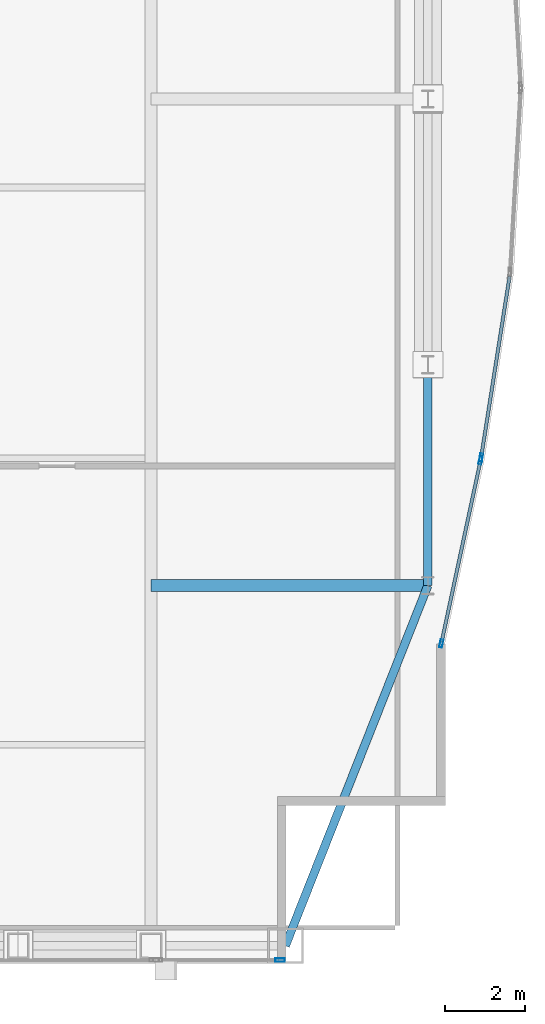
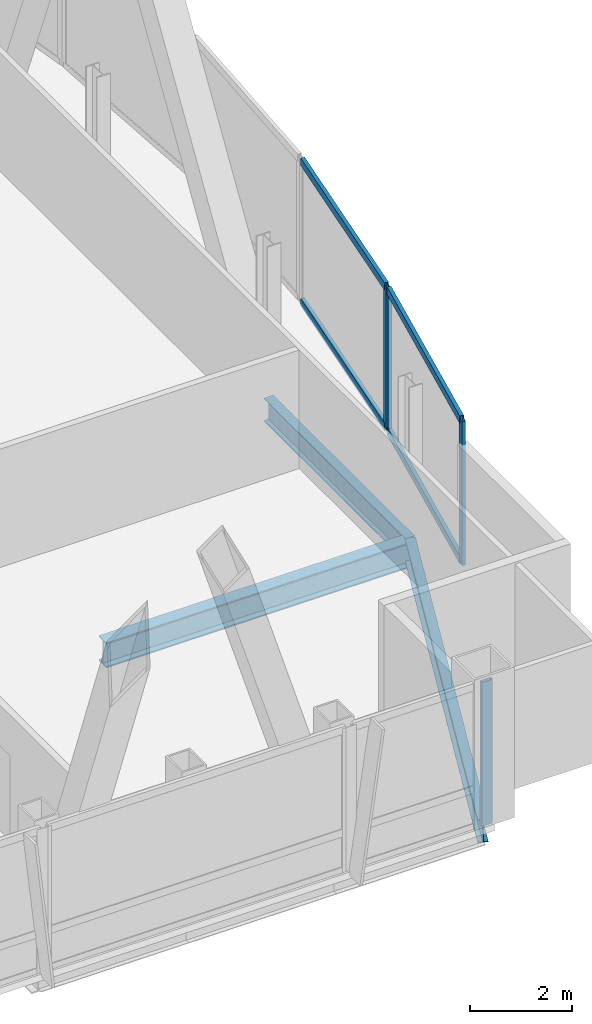
# One storey, part 15 of 29: 8 members, 3 beams, 3 elements without a shape of their own.
"""IFC4 building model written with IfcOpenShell, lengths in metres."""

from ifc_helpers import new_model, si_unit, direction, frame, origin, origin_2d, place, context, subcontext, project, spatial, hollow_rectangle, i_section, extrude, material, material_profile, profile_set, type_object, element, aggregate, save


model = new_model("IFC4")

# Units and contexts
model_context = context("Model", 3, precision=1e-05, world=origin(), true_north=direction((0.0, 1.0)))
body_context = subcontext(model_context, "Body", "Model", "MODEL_VIEW")
ifc_project = project(units=[si_unit("LENGTHUNIT", "METRE"), si_unit("AREAUNIT", "SQUARE_METRE"), si_unit("VOLUMEUNIT", "CUBIC_METRE"), si_unit("PLANEANGLEUNIT", "RADIAN"), si_unit("MASSUNIT", "GRAM", prefix="KILO")], contexts=[model_context])

# Site, building, storey
site_placement = place(None, origin())
site = spatial("IfcSite", under=ifc_project, at=site_placement, CompositionType="ELEMENT")
building_placement = place(site_placement, origin())
building = spatial("IfcBuilding", under=site, at=building_placement, Name="Khoronbel Lancet Exchange", CompositionType="ELEMENT")
storey_placement = place(building_placement, frame((0.0, 0.0, 314.60009765625)))
storey = spatial("IfcBuildingStorey", under=building, at=storey_placement, Name="L81", CompositionType="ELEMENT", Elevation=314.60009765625)

# Beams
ifc_material_1 = material(Name="Steel S355", Category="steel")
ifc_material_profile_1 = material_profile(ifc_material_1, i_section(OverallWidth=0.300048828125, OverallDepth=0.60009765625, WebThickness=0.015380859375, FlangeThickness=0.030029296875, at=origin_2d()), Name="HEB 600")
ifc_profile_set_1 = profile_set([ifc_material_profile_1], Name="Steel S355")
beam_type_1 = type_object("IfcBeamType", Name="BM-BG5", PredefinedType="BEAM", material=ifc_profile_set_1)
beam_1_placement = place(storey_placement, frame((54.675048828125, 19.199951171875, -0.460205078125), z_axis=(1.0, 0.0, 0.0), x_axis=(0.0, 1.0, 0.0)))
element("IfcBeam", 1, at=beam_1_placement, inside=storey, type_object=beam_type_1, Name="Level L81 east lens tie girder LG1E", PredefinedType="BEAM", context=body_context, shape_type="SweptSolid", body=[
    extrude(i_section(OverallWidth=0.300048828125, OverallDepth=0.60009765625, WebThickness=0.015380859375, FlangeThickness=0.030029296875, at=origin_2d()), origin(), (0.0, 0.0, 1.0), 6.954833984375),
])
ifc_material_profile_2 = material_profile(ifc_material_1, i_section(OverallWidth=0.2099609375, OverallDepth=0.550048828125, WebThickness=0.010986328125, FlangeThickness=0.01708984375, at=origin_2d()), Name="IPE 550")
ifc_profile_set_2 = profile_set([ifc_material_profile_2], Name="Steel S355")
beam_type_2 = type_object("IfcBeamType", Name="BM-BSP3", PredefinedType="SPANDREL", material=ifc_profile_set_2)
beam_2_placement = place(storey_placement, frame((58.050048828125, 10.14990234375, -0.43505859375), z_axis=(0.367828403855, 0.929893684954, 0.0), x_axis=(-0.929893684954, 0.367828403855, 0.0)))
element("IfcBeam", 2, at=beam_2_placement, inside=storey, type_object=beam_type_2, Name="Level L81 perimeter spandrel beam SP07", PredefinedType="SPANDREL", context=body_context, shape_type="SweptSolid", body=[
    extrude(i_section(OverallWidth=0.2099609375, OverallDepth=0.550048828125, WebThickness=0.010986328125, FlangeThickness=0.01708984375, at=origin_2d()), origin(), (0.0, 0.0, 1.0), 9.732421875),
])
beam_3_placement = place(storey_placement, frame((61.6298828125, 19.199951171875, -0.43505859375), z_axis=(0.0, 1.0, 0.0), x_axis=(-1.0, 0.0, 0.0)))
element("IfcBeam", 3, at=beam_3_placement, inside=storey, type_object=beam_type_2, Name="Level L81 perimeter spandrel beam SP08", PredefinedType="SPANDREL", context=body_context, shape_type="SweptSolid", body=[
    extrude(i_section(OverallWidth=0.2099609375, OverallDepth=0.550048828125, WebThickness=0.010986328125, FlangeThickness=0.01708984375, at=origin_2d()), origin(), (0.0, 0.0, 1.0), 5.550048828125),
])

# Curtain wall, member
ifc_material_2 = material(Name="Low-E Solar Control Insulating Glass", Category="glass")
curtain_wall_type_1 = type_object("IfcCurtainWallType", Name="CW-3", PredefinedType="NOTDEFINED", material=ifc_material_2)
curtain_wall_1_placement = place(storey_placement, origin())
curtain_wall_1 = element("IfcCurtainWall", 4, at=curtain_wall_1_placement, inside=storey, type_object=curtain_wall_type_1, Name="Unitised curtain wall CW-L81-SEV", PredefinedType="NOTDEFINED")
ifc_material_3 = material(Name="Bronze-Anodised Aluminium 6063-T6", Category="aluminium")
ifc_material_profile_3 = material_profile(ifc_material_3, hollow_rectangle(XDim=0.0849609375, YDim=0.239990234375, WallThickness=0.006103515625, at=origin_2d()), Name="ALU MULLION 85x240")
ifc_profile_set_3 = profile_set([ifc_material_profile_3], Name="Bronze-Anodised Aluminium 6063-T6")
member_type_1 = type_object("IfcMemberType", Name="MEM-CWM1", PredefinedType="MULLION", material=ifc_profile_set_3)
member_1_placement = place(storey_placement, frame((57.91748046875, 9.7900390625, 0.0), z_axis=(0.0, 0.0, 1.0), x_axis=(0.0, 1.0, 0.0)))
member_1 = element("IfcMember", 5, at=member_1_placement, type_object=member_type_1, Name="CW3 mullion 2", PredefinedType="MULLION", context=body_context, shape_type="SweptSolid", body=[
    extrude(hollow_rectangle(XDim=0.0849609375, YDim=0.239990234375, WallThickness=0.006103515625, at=origin_2d()), origin(), (0.0, 0.0, 1.0), 3.43994140625),
])
aggregate(curtain_wall_1, [member_1])

curtain_wall_type_2 = type_object("IfcCurtainWallType", Name="CW-4", PredefinedType="NOTDEFINED", material=ifc_material_2)
curtain_wall_2_placement = place(storey_placement, origin())
curtain_wall_2 = element("IfcCurtainWall", 6, at=curtain_wall_2_placement, inside=storey, type_object=curtain_wall_type_2, Name="Unitised curtain wall CW-L81-E21", PredefinedType="NOTDEFINED")
ifc_material_profile_4 = material_profile(ifc_material_3, hollow_rectangle(XDim=0.074951171875, YDim=0.199951171875, WallThickness=0.0048828125, at=origin_2d()), Name="ALU MULLION 75x200")
ifc_profile_set_4 = profile_set([ifc_material_profile_4], Name="Bronze-Anodised Aluminium 6063-T6")
member_type_2 = type_object("IfcMemberType", Name="MEM-CWM2", PredefinedType="MULLION", material=ifc_profile_set_4)
member_2_placement = place(storey_placement, frame((62.968505859375, 22.420166015625, 0.0), z_axis=(0.0, 0.0, 1.0), x_axis=(0.987888641158, -0.155164534193, 0.0)))
member_2 = element("IfcMember", 7, at=member_2_placement, type_object=member_type_2, Name="CW4 mullion 2", PredefinedType="MULLION", context=body_context, shape_type="SweptSolid", body=[
    extrude(hollow_rectangle(XDim=0.074951171875, YDim=0.199951171875, WallThickness=0.0048828125, at=origin_2d()), origin(), (0.0, 0.0, 1.0), 3.43994140625),
])

# Curtain wall, members
curtain_wall_3_placement = place(storey_placement, origin())
curtain_wall_3 = element("IfcCurtainWall", 8, at=curtain_wall_3_placement, inside=storey, type_object=curtain_wall_type_2, Name="Unitised curtain wall CW-L81-E22", PredefinedType="NOTDEFINED")
member_3_placement = place(storey_placement, frame((62.954833984375, 22.346435546875, 0.0), z_axis=(0.0, 0.0, 1.0), x_axis=(0.977746046147, -0.209791966588, 0.0)))
member_3 = element("IfcMember", 9, at=member_3_placement, type_object=member_type_2, Name="CW4 mullion 1", PredefinedType="MULLION", context=body_context, shape_type="SweptSolid", body=[
    extrude(hollow_rectangle(XDim=0.074951171875, YDim=0.199951171875, WallThickness=0.0048828125, at=origin_2d()), origin(), (0.0, 0.0, 1.0), 3.43994140625),
])
member_4_placement = place(storey_placement, frame((61.9677734375, 17.74609375, 0.0), z_axis=(0.0, 0.0, 1.0), x_axis=(0.977746046147, -0.209791966588, 0.0)))
member_4 = element("IfcMember", 10, at=member_4_placement, type_object=member_type_2, Name="CW4 mullion 2", PredefinedType="MULLION", context=body_context, shape_type="SweptSolid", body=[
    extrude(hollow_rectangle(XDim=0.074951171875, YDim=0.199951171875, WallThickness=0.0048828125, at=origin_2d()), origin(), (0.0, 0.0, 1.0), 3.43994140625),
])

# Member
ifc_material_profile_5 = material_profile(ifc_material_3, hollow_rectangle(XDim=0.0849609375, YDim=0.179931640625, WallThickness=0.0048828125, at=origin_2d()), Name="ALU TRANSOM 85x180")
ifc_profile_set_5 = profile_set([ifc_material_profile_5], Name="Bronze-Anodised Aluminium 6063-T6")
member_type_3 = type_object("IfcMemberType", Name="MEM-CWT1", PredefinedType="USERDEFINED", material=ifc_profile_set_5)
member_5_placement = place(storey_placement, frame((63.68310546875, 26.96875, 0.04248046875), z_axis=(-0.155193860713, -0.987884034488, 0.0), x_axis=(0.987884034488, -0.155193860713, 0.0)))
member_5 = element("IfcMember", 11, at=member_5_placement, type_object=member_type_3, Name="CW4 transom 1.1", ObjectType="TRANSOM", PredefinedType="USERDEFINED", context=body_context, shape_type="SweptSolid", body=[
    extrude(hollow_rectangle(XDim=0.0849609375, YDim=0.179931640625, WallThickness=0.0048828125, at=origin_2d()), origin(), (0.0, 0.0, 1.0), 4.56689453125),
])

member_6_placement = place(storey_placement, frame((63.68310546875, 26.96875, 3.3974609375), z_axis=(-0.155193860713, -0.987884034488, 0.0), x_axis=(0.987884034488, -0.155193860713, 0.0)))
member_6 = element("IfcMember", 12, at=member_6_placement, type_object=member_type_3, Name="CW4 transom 1.2", ObjectType="TRANSOM", PredefinedType="USERDEFINED", context=body_context, shape_type="SweptSolid", body=[
    extrude(hollow_rectangle(XDim=0.0849609375, YDim=0.179931640625, WallThickness=0.0048828125, at=origin_2d()), origin(), (0.0, 0.0, 1.0), 4.56689453125),
])

aggregate(curtain_wall_2, [member_2, member_5, member_6])

member_7_placement = place(storey_placement, frame((62.947021484375, 22.309814453125, 0.04248046875), z_axis=(-0.209755946382, -0.977753774198, 0.0), x_axis=(0.977753774198, -0.209755946382, 0.0)))
member_7 = element("IfcMember", 13, at=member_7_placement, type_object=member_type_3, Name="CW4 transom 1.1", ObjectType="TRANSOM", PredefinedType="USERDEFINED", context=body_context, shape_type="SweptSolid", body=[
    extrude(hollow_rectangle(XDim=0.0849609375, YDim=0.179931640625, WallThickness=0.0048828125, at=origin_2d()), origin(), (0.0, 0.0, 1.0), 4.630126953125),
])

member_8_placement = place(storey_placement, frame((62.947021484375, 22.309814453125, 3.3974609375), z_axis=(-0.209755946382, -0.977753774198, 0.0), x_axis=(0.977753774198, -0.209755946382, 0.0)))
member_8 = element("IfcMember", 14, at=member_8_placement, type_object=member_type_3, Name="CW4 transom 1.2", ObjectType="TRANSOM", PredefinedType="USERDEFINED", context=body_context, shape_type="SweptSolid", body=[
    extrude(hollow_rectangle(XDim=0.0849609375, YDim=0.179931640625, WallThickness=0.0048828125, at=origin_2d()), origin(), (0.0, 0.0, 1.0), 4.630126953125),
])

aggregate(curtain_wall_3, [member_3, member_4, member_7, member_8])

save(model, "model.ifc")
